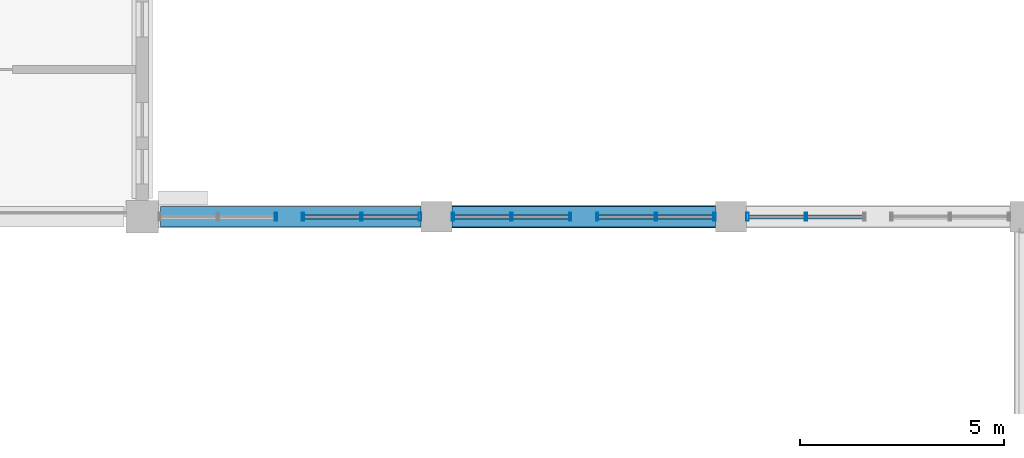
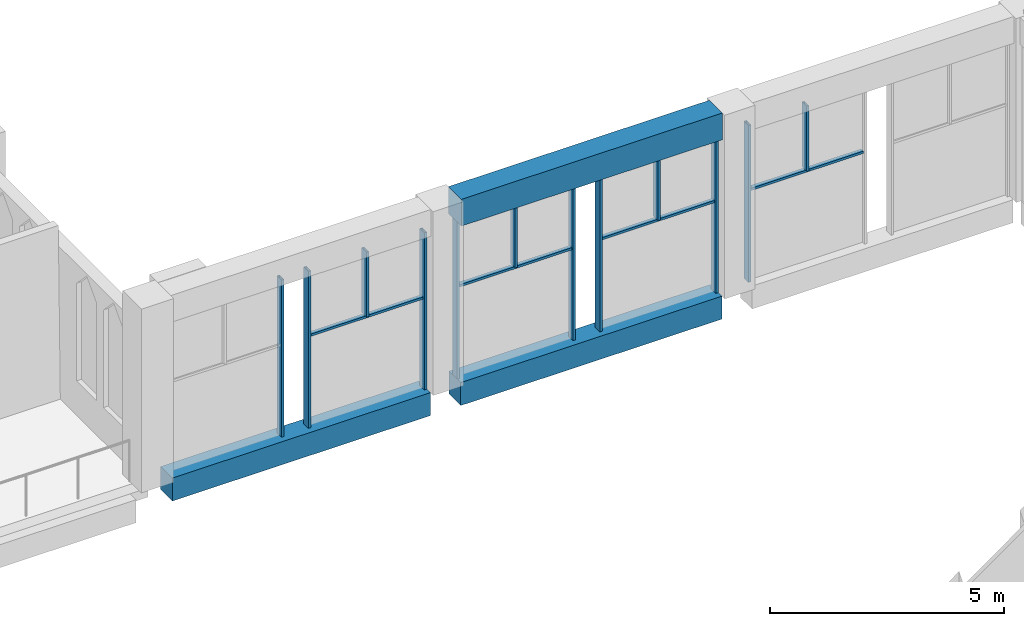
# One storey, part 13 of 31: 16 members, 3 beams, 5 elements without a shape of their own.
"""IFC4 building model written with IfcOpenShell, lengths in metres."""

from ifc_helpers import new_model, si_unit, direction, frame, origin, origin_2d, place, context, subcontext, project, spatial, rectangle, hollow_rectangle, extrude, material, material_profile, profile_set, type_object, element, aggregate, save


model = new_model("IFC4")

# Units and contexts
model_context = context("Model", 3, precision=1e-05, world=origin(), true_north=direction((0.0, 1.0)))
body_context = subcontext(model_context, "Body", "Model", "MODEL_VIEW")
ifc_project = project(units=[si_unit("LENGTHUNIT", "METRE"), si_unit("AREAUNIT", "SQUARE_METRE"), si_unit("VOLUMEUNIT", "CUBIC_METRE"), si_unit("PLANEANGLEUNIT", "RADIAN"), si_unit("MASSUNIT", "GRAM", prefix="KILO")], contexts=[model_context])

# Site, building, storey
site_placement = place(None, origin())
site = spatial("IfcSite", under=ifc_project, at=site_placement, CompositionType="ELEMENT")
building_placement = place(site_placement, origin())
building = spatial("IfcBuilding", under=site, at=building_placement, Name="Silangan Lancet Faculty of Sciences", CompositionType="ELEMENT")
storey_placement = place(building_placement, frame((0.0, 0.0, 36.0)))
storey = spatial("IfcBuildingStorey", under=building, at=storey_placement, Name="L07", CompositionType="ELEMENT", Elevation=36.0)

# Beams
ifc_material_1 = material(Name="Concrete C40/50", Category="concrete")
ifc_material_profile_1 = material_profile(ifc_material_1, rectangle(XDim=0.5, YDim=0.60009765625, at=origin_2d()), Name="RC 500x600")
ifc_profile_set_1 = profile_set([ifc_material_profile_1], Name="Concrete C40/50")
beam_type_1 = type_object("IfcBeamType", Name="BEAM RC 500x600", PredefinedType="BEAM", material=ifc_profile_set_1)
beam_1_placement = place(storey_placement, frame((29.25, 36.0, -0.300048828125), z_axis=(1.0, 0.0, 0.0), x_axis=(0.0, 1.0, 0.0)))
element("IfcBeam", 1, at=beam_1_placement, inside=storey, type_object=beam_type_1, Name="BM-L07-5F-6F", PredefinedType="BEAM", context=body_context, shape_type="SweptSolid", body=[
    extrude(rectangle(XDim=0.5, YDim=0.60009765625, at=origin_2d()), origin(), (0.0, 0.0, 1.0), 6.375),
])
beam_2_placement = place(storey_placement, frame((36.375, 36.0, -0.300048828125), z_axis=(1.0, 0.0, 0.0), x_axis=(0.0, 1.0, 0.0)))
element("IfcBeam", 2, at=beam_2_placement, inside=storey, type_object=beam_type_1, Name="BM-L07-6F-7F", PredefinedType="BEAM", context=body_context, shape_type="SweptSolid", body=[
    extrude(rectangle(XDim=0.5, YDim=0.60009765625, at=origin_2d()), origin(), (0.0, 0.0, 1.0), 6.449951171875),
])
ifc_material_2 = material(Name="Concrete C40/50", Category="concrete")
ifc_material_profile_2 = material_profile(ifc_material_2, rectangle(XDim=0.550048828125, YDim=0.699951171875, at=origin_2d()), Name="RC 550x700")
ifc_profile_set_2 = profile_set([ifc_material_profile_2], Name="Concrete C40/50")
beam_type_2 = type_object("IfcBeamType", Name="BEAM RC 550x700", PredefinedType="BEAM", material=ifc_profile_set_2)
beam_3_placement = place(storey_placement, frame((36.375, 36.0, 4.449951171875), z_axis=(1.0, 0.0, 0.0), x_axis=(0.0, 1.0, 0.0)))
element("IfcBeam", 3, at=beam_3_placement, inside=storey, type_object=beam_type_2, Name="RB-L07-6F-7F", PredefinedType="BEAM", context=body_context, shape_type="SweptSolid", body=[
    extrude(rectangle(XDim=0.550048828125, YDim=0.699951171875, at=origin_2d()), origin(), (0.0, 0.0, 1.0), 6.449951171875),
])

# Curtain wall, members
ifc_material_3 = material(Name="Aluminium framed curtain wall with insulated glass", Category="aluminium")
curtain_wall_type = type_object("IfcCurtainWallType", Name="CW5 Nave north light glazing", PredefinedType="NOTDEFINED", material=ifc_material_3)
curtain_wall_1_placement = place(storey_placement, origin())
curtain_wall_1 = element("IfcCurtainWall", 4, at=curtain_wall_1_placement, inside=storey, type_object=curtain_wall_type, Name="CW5 Nave north lights L07 bay 2", PredefinedType="NOTDEFINED")
ifc_material_4 = material(Name="Aluminium 6063-T6 extrusion", Category="aluminium")
ifc_material_profile_3 = material_profile(ifc_material_4, hollow_rectangle(XDim=0.06005859375, YDim=0.199951171875, WallThickness=0.00390625, at=origin_2d()), Name="AL BOX 60x200x4")
ifc_profile_set_3 = profile_set([ifc_material_profile_3], Name="Aluminium 6063-T6 extrusion")
member_type_1 = type_object("IfcMemberType", Name="CM1 Mullion 60x200", PredefinedType="MULLION", material=ifc_profile_set_3)
member_1_placement = place(storey_placement, frame((43.60498046875, 36.0, 0.0), z_axis=(0.0, 0.0, 1.0), x_axis=(-1.0, 0.0, 0.0)))
member_1 = element("IfcMember", 5, at=member_1_placement, type_object=member_type_1, Name="CW5 Nave north lights L07 bay 2 mullion 2", PredefinedType="MULLION", context=body_context, shape_type="SweptSolid", body=[
    extrude(hollow_rectangle(XDim=0.06005859375, YDim=0.199951171875, WallThickness=0.00390625, at=origin_2d()), origin(), (0.0, 0.0, 1.0), 4.10009765625),
])
member_2_placement = place(storey_placement, frame((45.03759765625, 36.0, 2.39990234375), z_axis=(0.0, 0.0, 1.0), x_axis=(-1.0, 0.0, 0.0)))
member_2 = element("IfcMember", 6, at=member_2_placement, type_object=member_type_1, Name="CW5 Nave north lights L07 bay 2 mullion 3", PredefinedType="MULLION", context=body_context, shape_type="SweptSolid", body=[
    extrude(hollow_rectangle(XDim=0.06005859375, YDim=0.199951171875, WallThickness=0.00390625, at=origin_2d()), origin(), (0.0, 0.0, 1.0), 1.7001953125),
])

curtain_wall_2_placement = place(storey_placement, origin())
curtain_wall_2 = element("IfcCurtainWall", 7, at=curtain_wall_2_placement, inside=storey, type_object=curtain_wall_type, Name="CW5 Nave north lights L07 bay 3", PredefinedType="NOTDEFINED")
member_3_placement = place(storey_placement, frame((42.794921875, 36.0, 0.0), z_axis=(0.0, 0.0, 1.0), x_axis=(-1.0, 0.0, 0.0)))
member_3 = element("IfcMember", 8, at=member_3_placement, type_object=member_type_1, Name="CW5 Nave north lights L07 bay 3 mullion 1", PredefinedType="MULLION", context=body_context, shape_type="SweptSolid", body=[
    extrude(hollow_rectangle(XDim=0.06005859375, YDim=0.199951171875, WallThickness=0.00390625, at=origin_2d()), origin(), (0.0, 0.0, 1.0), 4.10009765625),
])
member_4_placement = place(storey_placement, frame((39.93017578125, 36.0, 0.0), z_axis=(0.0, 0.0, 1.0), x_axis=(-1.0, 0.0, 0.0)))
member_4 = element("IfcMember", 9, at=member_4_placement, type_object=member_type_1, Name="CW5 Nave north lights L07 bay 3 mullion 2", PredefinedType="MULLION", context=body_context, shape_type="SweptSolid", body=[
    extrude(hollow_rectangle(XDim=0.06005859375, YDim=0.199951171875, WallThickness=0.00390625, at=origin_2d()), origin(), (0.0, 0.0, 1.0), 4.10009765625),
])
member_5_placement = place(storey_placement, frame((41.362548828125, 36.0, 2.39990234375), z_axis=(0.0, 0.0, 1.0), x_axis=(-1.0, 0.0, 0.0)))
member_5 = element("IfcMember", 10, at=member_5_placement, type_object=member_type_1, Name="CW5 Nave north lights L07 bay 3 mullion 3", PredefinedType="MULLION", context=body_context, shape_type="SweptSolid", body=[
    extrude(hollow_rectangle(XDim=0.06005859375, YDim=0.199951171875, WallThickness=0.00390625, at=origin_2d()), origin(), (0.0, 0.0, 1.0), 1.7001953125),
])

curtain_wall_3_placement = place(storey_placement, origin())
curtain_wall_3 = element("IfcCurtainWall", 11, at=curtain_wall_3_placement, inside=storey, type_object=curtain_wall_type, Name="CW5 Nave north lights L07 bay 4", PredefinedType="NOTDEFINED")
member_6_placement = place(storey_placement, frame((39.27001953125, 36.0, 0.0), z_axis=(0.0, 0.0, 1.0), x_axis=(-1.0, 0.0, 0.0)))
member_6 = element("IfcMember", 12, at=member_6_placement, type_object=member_type_1, Name="CW5 Nave north lights L07 bay 4 mullion 1", PredefinedType="MULLION", context=body_context, shape_type="SweptSolid", body=[
    extrude(hollow_rectangle(XDim=0.06005859375, YDim=0.199951171875, WallThickness=0.00390625, at=origin_2d()), origin(), (0.0, 0.0, 1.0), 4.10009765625),
])
member_7_placement = place(storey_placement, frame((36.405029296875, 36.0, 0.0), z_axis=(0.0, 0.0, 1.0), x_axis=(-1.0, 0.0, 0.0)))
member_7 = element("IfcMember", 13, at=member_7_placement, type_object=member_type_1, Name="CW5 Nave north lights L07 bay 4 mullion 2", PredefinedType="MULLION", context=body_context, shape_type="SweptSolid", body=[
    extrude(hollow_rectangle(XDim=0.06005859375, YDim=0.199951171875, WallThickness=0.00390625, at=origin_2d()), origin(), (0.0, 0.0, 1.0), 4.10009765625),
])
member_8_placement = place(storey_placement, frame((37.837646484375, 36.0, 2.39990234375), z_axis=(0.0, 0.0, 1.0), x_axis=(-1.0, 0.0, 0.0)))
member_8 = element("IfcMember", 14, at=member_8_placement, type_object=member_type_1, Name="CW5 Nave north lights L07 bay 4 mullion 3", PredefinedType="MULLION", context=body_context, shape_type="SweptSolid", body=[
    extrude(hollow_rectangle(XDim=0.06005859375, YDim=0.199951171875, WallThickness=0.00390625, at=origin_2d()), origin(), (0.0, 0.0, 1.0), 1.7001953125),
])

curtain_wall_4_placement = place(storey_placement, origin())
curtain_wall_4 = element("IfcCurtainWall", 15, at=curtain_wall_4_placement, inside=storey, type_object=curtain_wall_type, Name="CW5 Nave north lights L07 bay 5", PredefinedType="NOTDEFINED")
member_9_placement = place(storey_placement, frame((35.594970703125, 36.0, 0.0), z_axis=(0.0, 0.0, 1.0), x_axis=(-1.0, 0.0, 0.0)))
member_9 = element("IfcMember", 16, at=member_9_placement, type_object=member_type_1, Name="CW5 Nave north lights L07 bay 5 mullion 1", PredefinedType="MULLION", context=body_context, shape_type="SweptSolid", body=[
    extrude(hollow_rectangle(XDim=0.06005859375, YDim=0.199951171875, WallThickness=0.00390625, at=origin_2d()), origin(), (0.0, 0.0, 1.0), 4.10009765625),
])
member_10_placement = place(storey_placement, frame((32.72998046875, 36.0, 0.0), z_axis=(0.0, 0.0, 1.0), x_axis=(-1.0, 0.0, 0.0)))
member_10 = element("IfcMember", 17, at=member_10_placement, type_object=member_type_1, Name="CW5 Nave north lights L07 bay 5 mullion 2", PredefinedType="MULLION", context=body_context, shape_type="SweptSolid", body=[
    extrude(hollow_rectangle(XDim=0.06005859375, YDim=0.199951171875, WallThickness=0.00390625, at=origin_2d()), origin(), (0.0, 0.0, 1.0), 4.10009765625),
])
member_11_placement = place(storey_placement, frame((34.162353515625, 36.0, 2.39990234375), z_axis=(0.0, 0.0, 1.0), x_axis=(-1.0, 0.0, 0.0)))
member_11 = element("IfcMember", 18, at=member_11_placement, type_object=member_type_1, Name="CW5 Nave north lights L07 bay 5 mullion 3", PredefinedType="MULLION", context=body_context, shape_type="SweptSolid", body=[
    extrude(hollow_rectangle(XDim=0.06005859375, YDim=0.199951171875, WallThickness=0.00390625, at=origin_2d()), origin(), (0.0, 0.0, 1.0), 1.7001953125),
])

# Curtain wall, member
curtain_wall_5_placement = place(storey_placement, origin())
curtain_wall_5 = element("IfcCurtainWall", 19, at=curtain_wall_5_placement, inside=storey, type_object=curtain_wall_type, Name="CW5 Nave north lights L07 bay 6", PredefinedType="NOTDEFINED")
member_12_placement = place(storey_placement, frame((32.06982421875, 36.0, 0.0), z_axis=(0.0, 0.0, 1.0), x_axis=(-1.0, 0.0, 0.0)))
member_12 = element("IfcMember", 20, at=member_12_placement, type_object=member_type_1, Name="CW5 Nave north lights L07 bay 6 mullion 1", PredefinedType="MULLION", context=body_context, shape_type="SweptSolid", body=[
    extrude(hollow_rectangle(XDim=0.06005859375, YDim=0.199951171875, WallThickness=0.00390625, at=origin_2d()), origin(), (0.0, 0.0, 1.0), 4.10009765625),
])
aggregate(curtain_wall_5, [member_12])

# Member
ifc_material_5 = material(Name="Aluminium 6063-T6 extrusion", Category="aluminium")
ifc_material_profile_4 = material_profile(ifc_material_5, hollow_rectangle(XDim=0.10009765625, YDim=0.06005859375, WallThickness=0.0029296875, at=origin_2d()), Name="AL BOX 100x60x3")
ifc_profile_set_4 = profile_set([ifc_material_profile_4], Name="Aluminium 6063-T6 extrusion")
member_type_2 = type_object("IfcMemberType", Name="CT1 Transom 100x60", PredefinedType="USERDEFINED", material=ifc_profile_set_4)
member_13_placement = place(storey_placement, frame((46.43994140625, 36.0, 2.3701171875), z_axis=(-1.0, 0.0, 0.0), x_axis=(0.0, -1.0, 0.0)))
member_13 = element("IfcMember", 21, at=member_13_placement, type_object=member_type_2, Name="CW5 Nave north lights L07 bay 2 transom 1", ObjectType="TRANSOM", PredefinedType="USERDEFINED", context=body_context, shape_type="SweptSolid", body=[
    extrude(hollow_rectangle(XDim=0.10009765625, YDim=0.06005859375, WallThickness=0.0029296875, at=origin_2d()), origin(), (0.0, 0.0, 1.0), 2.804931640625),
])

aggregate(curtain_wall_1, [member_1, member_2, member_13])

member_14_placement = place(storey_placement, frame((42.764892578125, 36.0, 2.3701171875), z_axis=(-1.0, 0.0, 0.0), x_axis=(0.0, -1.0, 0.0)))
member_14 = element("IfcMember", 22, at=member_14_placement, type_object=member_type_2, Name="CW5 Nave north lights L07 bay 3 transom 1", ObjectType="TRANSOM", PredefinedType="USERDEFINED", context=body_context, shape_type="SweptSolid", body=[
    extrude(hollow_rectangle(XDim=0.10009765625, YDim=0.06005859375, WallThickness=0.0029296875, at=origin_2d()), origin(), (0.0, 0.0, 1.0), 2.8046875),
])

aggregate(curtain_wall_2, [member_3, member_4, member_5, member_14])

member_15_placement = place(storey_placement, frame((39.239990234375, 36.0, 2.3701171875), z_axis=(-1.0, 0.0, 0.0), x_axis=(0.0, -1.0, 0.0)))
member_15 = element("IfcMember", 23, at=member_15_placement, type_object=member_type_2, Name="CW5 Nave north lights L07 bay 4 transom 1", ObjectType="TRANSOM", PredefinedType="USERDEFINED", context=body_context, shape_type="SweptSolid", body=[
    extrude(hollow_rectangle(XDim=0.10009765625, YDim=0.06005859375, WallThickness=0.0029296875, at=origin_2d()), origin(), (0.0, 0.0, 1.0), 2.804931640625),
])

aggregate(curtain_wall_3, [member_6, member_7, member_8, member_15])

member_16_placement = place(storey_placement, frame((35.56494140625, 36.0, 2.3701171875), z_axis=(-1.0, 0.0, 0.0), x_axis=(0.0, -1.0, 0.0)))
member_16 = element("IfcMember", 24, at=member_16_placement, type_object=member_type_2, Name="CW5 Nave north lights L07 bay 5 transom 1", ObjectType="TRANSOM", PredefinedType="USERDEFINED", context=body_context, shape_type="SweptSolid", body=[
    extrude(hollow_rectangle(XDim=0.10009765625, YDim=0.06005859375, WallThickness=0.0029296875, at=origin_2d()), origin(), (0.0, 0.0, 1.0), 2.804931640625),
])

aggregate(curtain_wall_4, [member_9, member_10, member_11, member_16])

save(model, "model.ifc")
